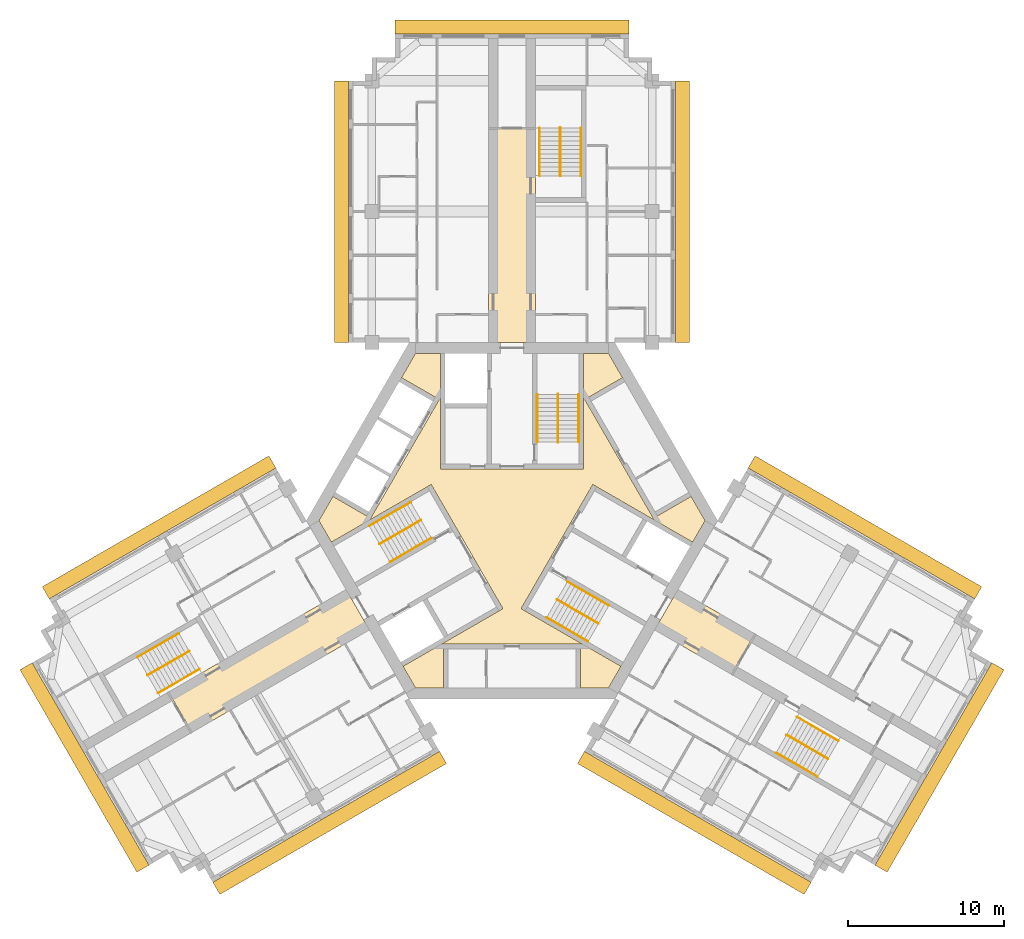
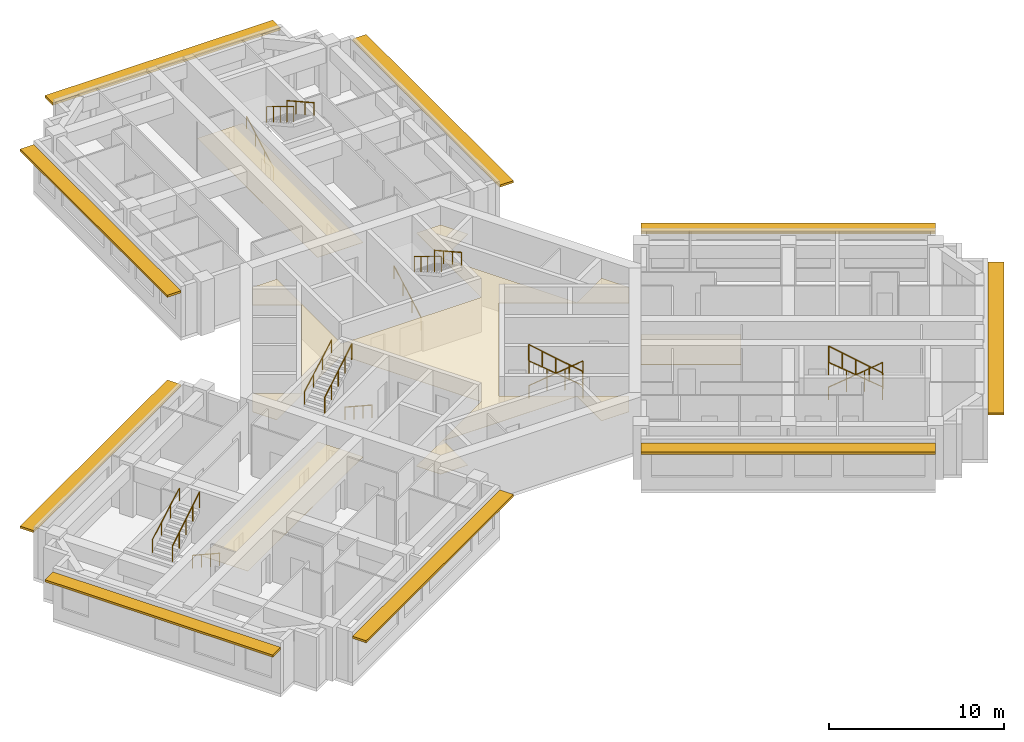
# One storey, part 10 of 10: 18 railings, 4 coverings, 3 shading devices.
"""IFC4 building model written with IfcOpenShell, lengths in metres."""

from ifc_helpers import new_model, si_unit, direction, frame, origin, origin_2d, place, context, subcontext, project, spatial, polyline, rectangle, circle, outline, extrude, material, layer, layer_set, type_object, element, save


model = new_model("IFC4")

# Units and contexts
model_context = context("Model", 3, precision=1e-05, world=origin(), true_north=direction((0.0, 1.0)))
body_context = subcontext(model_context, "Body", "Model", "MODEL_VIEW")
ifc_project = project(units=[si_unit("LENGTHUNIT", "METRE"), si_unit("AREAUNIT", "SQUARE_METRE"), si_unit("VOLUMEUNIT", "CUBIC_METRE"), si_unit("PLANEANGLEUNIT", "RADIAN"), si_unit("MASSUNIT", "GRAM", prefix="KILO")], contexts=[model_context])

# Site, building, storey
site_placement = place(None, origin())
site = spatial("IfcSite", under=ifc_project, at=site_placement, CompositionType="ELEMENT")
building_placement = place(site_placement, origin())
building = spatial("IfcBuilding", under=site, at=building_placement, Name="Impinga Residences", CompositionType="ELEMENT")
storey_placement = place(building_placement, frame((0.0, 0.0, 256.0)))
storey = spatial("IfcBuildingStorey", under=building, at=storey_placement, Name="L64", CompositionType="ELEMENT", Elevation=256.0)

# Coverings
ifc_material_1 = material(Name="Plasterboard 15 mm on steel hangers", Category="steel")
ifc_layer_1 = layer(ifc_material_1, 0.014892578125)
ifc_layer_set_1 = layer_set([ifc_layer_1], Name="Plasterboard 15 mm on steel hangers")
covering_type_1 = type_object("IfcCoveringType", Name="CL1 corridor ceiling, 15 mm plasterboard on hangers", PredefinedType="CEILING", material=ifc_layer_set_1)
covering_1_placement = place(storey_placement, frame((0.0, 0.0, 2.39990234375)))
element("IfcCovering", 1, at=covering_1_placement, inside=storey, type_object=covering_type_1, Name="Corridor ceiling CL1 L64-N00", PredefinedType="CEILING", context=body_context, shape_type="SweptSolid", body=[
    extrude(outline(polyline([(-1.5, 11.431640625), (1.5, 11.431640625), (1.5, 25.131591796875), (-1.5, 25.131591796875), (-1.5, 11.431640625)])), origin(), (0.0, 0.0, 1.0), 0.01513671875),
])
covering_2_placement = place(storey_placement, frame((0.0, 0.0, 2.39990234375)))
element("IfcCovering", 2, at=covering_2_placement, inside=storey, type_object=covering_type_1, Name="Corridor ceiling CL1 L64-W00", PredefinedType="CEILING", context=body_context, shape_type="SweptSolid", body=[
    extrude(outline(polyline([(-9.14990234375, -7.014892578125), (-10.64990234375, -4.416748046875), (-22.038330078125, -10.99169921875), (-20.538330078125, -13.58984375), (-9.14990234375, -7.014892578125)])), origin(), (0.0, 0.0, 1.0), 0.01513671875),
])
covering_3_placement = place(storey_placement, frame((0.0, 0.0, 2.39990234375)))
element("IfcCovering", 3, at=covering_3_placement, inside=storey, type_object=covering_type_1, Name="Corridor ceiling CL1 L64-E00", PredefinedType="CEILING", context=body_context, shape_type="SweptSolid", body=[
    extrude(outline(polyline([(9.14990234375, -7.014892578125), (10.64990234375, -4.416748046875), (15.579833984375, -7.262939453125), (14.079833984375, -9.861083984375), (9.14990234375, -7.014892578125)])), origin(), (0.0, 0.0, 1.0), 0.01513671875),
])
ifc_material_2 = material(Name="Mineral fibre tiles 20 mm on exposed grid", Category="mineral fibre")
ifc_layer_2 = layer(ifc_material_2, 0.02001953125)
ifc_layer_set_2 = layer_set([ifc_layer_2], Name="CL2 lift lobby ceiling, 20 mm mineral fibre tiles")
covering_type_2 = type_object("IfcCoveringType", Name="CL2 lift lobby ceiling, 20 mm mineral fibre tiles", PredefinedType="CEILING", material=ifc_layer_set_2)
covering_4_placement = place(storey_placement, frame((0.0, 0.0, 2.39990234375)))
element("IfcCovering", 4, at=covering_4_placement, inside=storey, type_object=covering_type_2, Name="Lift lobby ceiling CL2 L64-C01", PredefinedType="CEILING", context=body_context, shape_type="SweptSolid", body=[
    extrude(outline(polyline([(12.3916015625, 0.0), (11.59375, -1.382080078125), (5.183837890625, 2.318603515625), (0.583984375, -5.648681640625), (6.993896484375, -9.349365234375), (6.19580078125, -10.7314453125), (4.39990234375, -10.7314453125), (4.39990234375, -7.931640625), (-4.39990234375, -7.931640625), (-4.39990234375, -10.7314453125), (-6.19580078125, -10.7314453125), (-6.993896484375, -9.349365234375), (-0.583984375, -5.648681640625), (-5.183837890625, 2.318603515625), (-11.59375, -1.382080078125), (-12.3916015625, 0.0), (-11.493896484375, 1.55517578125), (-9.06884765625, 0.1552734375), (-4.6689453125, 7.7763671875), (-7.09375, 9.17626953125), (-6.19580078125, 10.7314453125), (-4.60009765625, 10.7314453125), (-4.60009765625, 3.330078125), (4.60009765625, 3.330078125), (4.60009765625, 10.7314453125), (6.19580078125, 10.7314453125), (7.09375, 9.17626953125), (4.6689453125, 7.7763671875), (9.06884765625, 0.1552734375), (11.493896484375, 1.55517578125), (12.3916015625, 0.0)])), origin(), (0.0, 0.0, 1.0), 0.02001953125),
])

# Railings
ifc_material_3 = material(Name="Steel guard, powder coated", Category="steel")
railing_type_1 = type_object("IfcRailingType", Name="GR1 stair guard 1100", PredefinedType="GUARDRAIL", material=ifc_material_3)
railing_1_placement = place(storey_placement, frame((2.949951171875, 8.110107421875, 1.875)))
element("IfcRailing", 5, at=railing_1_placement, inside=storey, type_object=railing_type_1, Name="Stair guard GR1 ST1 L64", PredefinedType="GUARDRAIL", context=body_context, shape_type="SweptSolid", body=[
    extrude(circle(Radius=0.02392578125, at=origin_2d()), frame((0.0, 0.0, 1.076171875), z_axis=(0.0, -0.854177636135, 0.519981313056), x_axis=(1.0, 0.0, 0.0)), (0.0, 0.0, 1.0), 3.60595703125),
    extrude(circle(Radius=0.02099609375, at=origin_2d()), origin(), (0.0, 0.0, 1.0), 1.052001953125),
    extrude(circle(Radius=0.02099609375, at=origin_2d()), frame((0.0, -0.77001953125, 0.46875)), (0.0, 0.0, 1.0), 1.052001953125),
    extrude(circle(Radius=0.02099609375, at=origin_2d()), frame((0.0, -1.5400390625, 0.9375)), (0.0, 0.0, 1.0), 1.052001953125),
    extrude(circle(Radius=0.02099609375, at=origin_2d()), frame((0.0, -2.31005859375, 1.40625)), (0.0, 0.0, 1.0), 1.052001953125),
    extrude(circle(Radius=0.02099609375, at=origin_2d()), frame((0.0, -3.080078125, 1.875)), (0.0, 0.0, 1.0), 1.052001953125),
])
railing_2_placement = place(storey_placement, frame((-8.49853515625, -1.500244140625, 1.875)))
element("IfcRailing", 6, at=railing_2_placement, inside=storey, type_object=railing_type_1, Name="Stair guard GR1 ST2 L64", PredefinedType="GUARDRAIL", context=body_context, shape_type="SweptSolid", body=[
    extrude(circle(Radius=0.02392578125, at=origin_2d()), frame((0.0, 0.0, 1.076171875), z_axis=(0.739746383972, 0.427084037168, 0.519975492303), x_axis=(-0.499992328818, 0.866029832698, 0.0)), (0.0, 0.0, 1.0), 3.60595703125),
    extrude(circle(Radius=0.02099609375, at=origin_2d()), origin(), (0.0, 0.0, 1.0), 1.052001953125),
    extrude(circle(Radius=0.02099609375, at=origin_2d()), frame((0.6669921875, 0.385009765625, 0.46875)), (0.0, 0.0, 1.0), 1.052001953125),
    extrude(circle(Radius=0.02099609375, at=origin_2d()), frame((1.333740234375, 0.77001953125, 0.9375)), (0.0, 0.0, 1.0), 1.052001953125),
    extrude(circle(Radius=0.02099609375, at=origin_2d()), frame((2.00048828125, 1.155029296875, 1.40625)), (0.0, 0.0, 1.0), 1.052001953125),
    extrude(circle(Radius=0.02099609375, at=origin_2d()), frame((2.66748046875, 1.5400390625, 1.875)), (0.0, 0.0, 1.0), 1.052001953125),
])
railing_3_placement = place(storey_placement, frame((5.548583984375, -6.60986328125, 1.875)))
element("IfcRailing", 7, at=railing_3_placement, inside=storey, type_object=railing_type_1, Name="Stair guard GR1 ST3 L64", PredefinedType="GUARDRAIL", context=body_context, shape_type="SweptSolid", body=[
    extrude(circle(Radius=0.02392578125, at=origin_2d()), frame((0.0, 0.0, 1.076171875), z_axis=(-0.739746383972, 0.427084037168, 0.519975492303), x_axis=(-0.499992328818, -0.866029832698, 0.0)), (0.0, 0.0, 1.0), 3.60595703125),
    extrude(circle(Radius=0.02099609375, at=origin_2d()), origin(), (0.0, 0.0, 1.0), 1.052001953125),
    extrude(circle(Radius=0.02099609375, at=origin_2d()), frame((-0.6669921875, 0.385009765625, 0.46875)), (0.0, 0.0, 1.0), 1.052001953125),
    extrude(circle(Radius=0.02099609375, at=origin_2d()), frame((-1.333740234375, 0.77001953125, 0.9375)), (0.0, 0.0, 1.0), 1.052001953125),
    extrude(circle(Radius=0.02099609375, at=origin_2d()), frame((-2.00048828125, 1.155029296875, 1.40625)), (0.0, 0.0, 1.0), 1.052001953125),
    extrude(circle(Radius=0.02099609375, at=origin_2d()), frame((-2.66748046875, 1.5400390625, 1.875)), (0.0, 0.0, 1.0), 1.052001953125),
])
railing_4_placement = place(storey_placement, frame((3.10009765625, 25.21142578125, 1.875)))
element("IfcRailing", 8, at=railing_4_placement, inside=storey, type_object=railing_type_1, Name="Stair guard GR1 WS1 L64", PredefinedType="GUARDRAIL", context=body_context, shape_type="SweptSolid", body=[
    extrude(circle(Radius=0.02392578125, at=origin_2d()), frame((0.0, 0.0, 1.076171875), z_axis=(0.0, -0.854159328187, 0.520011386482), x_axis=(1.0, 0.0, 0.0)), (0.0, 0.0, 1.0), 3.605712890625),
    extrude(circle(Radius=0.02099609375, at=origin_2d()), origin(), (0.0, 0.0, 1.0), 1.052001953125),
    extrude(circle(Radius=0.02099609375, at=origin_2d()), frame((0.0, -0.77001953125, 0.46875)), (0.0, 0.0, 1.0), 1.052001953125),
    extrude(circle(Radius=0.02099609375, at=origin_2d()), frame((0.0, -1.5400390625, 0.9375)), (0.0, 0.0, 1.0), 1.052001953125),
    extrude(circle(Radius=0.02099609375, at=origin_2d()), frame((0.0, -2.309814453125, 1.40625)), (0.0, 0.0, 1.0), 1.052001953125),
    extrude(circle(Radius=0.02099609375, at=origin_2d()), frame((0.0, -3.079833984375, 1.875)), (0.0, 0.0, 1.0), 1.052001953125),
])
railing_5_placement = place(storey_placement, frame((-23.3837890625, -9.921142578125, 1.875)))
element("IfcRailing", 9, at=railing_5_placement, inside=storey, type_object=railing_type_1, Name="Stair guard GR1 WS2 L64", PredefinedType="GUARDRAIL", context=body_context, shape_type="SweptSolid", body=[
    extrude(circle(Radius=0.02392578125, at=origin_2d()), frame((0.0, 0.0, 1.076171875), z_axis=(0.739715726454, 0.427105428144, 0.52000153585), x_axis=(-0.500026652407, 0.866010015463, 0.0)), (0.0, 0.0, 1.0), 3.605712890625),
    extrude(circle(Radius=0.02099609375, at=origin_2d()), origin(), (0.0, 0.0, 1.0), 1.052001953125),
    extrude(circle(Radius=0.02099609375, at=origin_2d()), frame((0.666748046875, 0.385009765625, 0.46875)), (0.0, 0.0, 1.0), 1.052001953125),
    extrude(circle(Radius=0.02099609375, at=origin_2d()), frame((1.33349609375, 0.77001953125, 0.9375)), (0.0, 0.0, 1.0), 1.052001953125),
    extrude(circle(Radius=0.02099609375, at=origin_2d()), frame((2.00048828125, 1.155029296875, 1.40625)), (0.0, 0.0, 1.0), 1.052001953125),
    extrude(circle(Radius=0.02099609375, at=origin_2d()), frame((2.667236328125, 1.5400390625, 1.875)), (0.0, 0.0, 1.0), 1.052001953125),
])
railing_6_placement = place(storey_placement, frame((20.283935546875, -15.29052734375, 1.875)))
element("IfcRailing", 10, at=railing_6_placement, inside=storey, type_object=railing_type_1, Name="Stair guard GR1 WS3 L64", PredefinedType="GUARDRAIL", context=body_context, shape_type="SweptSolid", body=[
    extrude(circle(Radius=0.02392578125, at=origin_2d()), frame((0.0, 0.0, 1.076171875), z_axis=(-0.739746383972, 0.427084037168, 0.519975492303), x_axis=(-0.499992328818, -0.866029832698, 0.0)), (0.0, 0.0, 1.0), 3.60595703125),
    extrude(circle(Radius=0.02099609375, at=origin_2d()), origin(), (0.0, 0.0, 1.0), 1.052001953125),
    extrude(circle(Radius=0.02099609375, at=origin_2d()), frame((-0.6669921875, 0.385009765625, 0.46875)), (0.0, 0.0, 1.0), 1.052001953125),
    extrude(circle(Radius=0.02099609375, at=origin_2d()), frame((-1.333740234375, 0.77001953125, 0.9375)), (0.0, 0.0, 1.0), 1.052001953125),
    extrude(circle(Radius=0.02099609375, at=origin_2d()), frame((-2.00048828125, 1.155029296875, 1.40625)), (0.0, 0.0, 1.0), 1.052001953125),
    extrude(circle(Radius=0.02099609375, at=origin_2d()), frame((-2.66748046875, 1.5400390625, 1.875)), (0.0, 0.0, 1.0), 1.052001953125),
])
ifc_material_4 = material(Name="Steel handrail tube 42 mm, powder coated", Category="steel")
railing_type_2 = type_object("IfcRailingType", Name="HR1 stair handrail, 42 mm steel tube, 900 above the pitch line", PredefinedType="HANDRAIL", material=ifc_material_4)
railing_7_placement = place(storey_placement, frame((1.62109375, 5.030029296875, 0.15625)))
element("IfcRailing", 11, at=railing_7_placement, inside=storey, type_object=railing_type_2, Name="Stair handrail HR1 ST1 L64", PredefinedType="HANDRAIL", context=body_context, shape_type="SweptSolid", body=[
    extrude(circle(Radius=0.02099609375, at=origin_2d()), frame((0.0, 0.0, 0.87890625), z_axis=(0.0, 0.873241540666, 0.487287606713), x_axis=(-1.0, 0.0, 0.0)), (0.0, 0.0, 1.0), 3.527099609375),
    extrude(circle(Radius=0.012451171875, at=origin_2d()), origin(), (0.0, 0.0, 1.0), 0.85791015625),
    extrude(circle(Radius=0.012451171875, at=origin_2d()), frame((0.0, 1.026611328125, 0.572998046875)), (0.0, 0.0, 1.0), 0.85791015625),
    extrude(circle(Radius=0.012451171875, at=origin_2d()), frame((0.0, 2.053466796875, 1.145751953125)), (0.0, 0.0, 1.0), 0.85791015625),
    extrude(circle(Radius=0.012451171875, at=origin_2d()), frame((0.0, 3.080078125, 1.71875)), (0.0, 0.0, 1.0), 0.85791015625),
])
railing_8_placement = place(storey_placement, frame((4.279052734375, 8.110107421875, 2.03125)))
element("IfcRailing", 12, at=railing_8_placement, inside=storey, type_object=railing_type_2, Name="Stair handrail HR1 ST1 L64", PredefinedType="HANDRAIL", context=body_context, shape_type="SweptSolid", body=[
    extrude(circle(Radius=0.02099609375, at=origin_2d()), frame((0.0, 0.0, 0.87890625), z_axis=(0.0, -0.873241540666, 0.487287606713), x_axis=(1.0, 0.0, 0.0)), (0.0, 0.0, 1.0), 3.527099609375),
    extrude(circle(Radius=0.012451171875, at=origin_2d()), origin(), (0.0, 0.0, 1.0), 0.85791015625),
    extrude(circle(Radius=0.012451171875, at=origin_2d()), frame((0.0, -1.026611328125, 0.572998046875)), (0.0, 0.0, 1.0), 0.85791015625),
    extrude(circle(Radius=0.012451171875, at=origin_2d()), frame((0.0, -2.053466796875, 1.145751953125)), (0.0, 0.0, 1.0), 0.85791015625),
    extrude(circle(Radius=0.012451171875, at=origin_2d()), frame((0.0, -3.080078125, 1.71875)), (0.0, 0.0, 1.0), 0.85791015625),
])
railing_9_placement = place(storey_placement, frame((-5.16650390625, -1.111083984375, 0.15625)))
element("IfcRailing", 13, at=railing_9_placement, inside=storey, type_object=railing_type_2, Name="Stair handrail HR1 ST2 L64", PredefinedType="HANDRAIL", context=body_context, shape_type="SweptSolid", body=[
    extrude(circle(Radius=0.02099609375, at=origin_2d()), frame((0.0, 0.0, 0.87890625), z_axis=(-0.756255980417, -0.436615662133, 0.487281905742), x_axis=(0.499992328818, -0.866029832698, 0.0)), (0.0, 0.0, 1.0), 3.527099609375),
    extrude(circle(Radius=0.012451171875, at=origin_2d()), origin(), (0.0, 0.0, 1.0), 0.85791015625),
    extrude(circle(Radius=0.012451171875, at=origin_2d()), frame((-0.88916015625, -0.513427734375, 0.572998046875)), (0.0, 0.0, 1.0), 0.85791015625),
    extrude(circle(Radius=0.012451171875, at=origin_2d()), frame((-1.7783203125, -1.026611328125, 1.145751953125)), (0.0, 0.0, 1.0), 0.85791015625),
    extrude(circle(Radius=0.012451171875, at=origin_2d()), frame((-2.66748046875, -1.5400390625, 1.71875)), (0.0, 0.0, 1.0), 0.85791015625),
])
railing_10_placement = place(storey_placement, frame((-9.1630859375, -0.349365234375, 2.03125)))
element("IfcRailing", 14, at=railing_10_placement, inside=storey, type_object=railing_type_2, Name="Stair handrail HR1 ST2 L64", PredefinedType="HANDRAIL", context=body_context, shape_type="SweptSolid", body=[
    extrude(circle(Radius=0.02099609375, at=origin_2d()), frame((0.0, 0.0, 0.87890625), z_axis=(0.756255980417, 0.436615662133, 0.487281905742), x_axis=(-0.499992328818, 0.866029832698, 0.0)), (0.0, 0.0, 1.0), 3.527099609375),
    extrude(circle(Radius=0.012451171875, at=origin_2d()), origin(), (0.0, 0.0, 1.0), 0.85791015625),
    extrude(circle(Radius=0.012451171875, at=origin_2d()), frame((0.88916015625, 0.513427734375, 0.572998046875)), (0.0, 0.0, 1.0), 0.85791015625),
    extrude(circle(Radius=0.012451171875, at=origin_2d()), frame((1.7783203125, 1.026611328125, 1.145751953125)), (0.0, 0.0, 1.0), 0.85791015625),
    extrude(circle(Radius=0.012451171875, at=origin_2d()), frame((2.66748046875, 1.5400390625, 1.71875)), (0.0, 0.0, 1.0), 0.85791015625),
])
railing_11_placement = place(storey_placement, frame((3.545654296875, -3.9189453125, 0.15625)))
element("IfcRailing", 15, at=railing_11_placement, inside=storey, type_object=railing_type_2, Name="Stair handrail HR1 ST3 L64", PredefinedType="HANDRAIL", context=body_context, shape_type="SweptSolid", body=[
    extrude(circle(Radius=0.02099609375, at=origin_2d()), frame((0.0, 0.0, 0.87890625), z_axis=(0.756249203677, -0.436582492228, 0.487322141317), x_axis=(0.499967199496, 0.866044340336, 0.0)), (0.0, 0.0, 1.0), 3.52685546875),
    extrude(circle(Radius=0.012451171875, at=origin_2d()), origin(), (0.0, 0.0, 1.0), 0.85791015625),
    extrude(circle(Radius=0.012451171875, at=origin_2d()), frame((0.88916015625, -0.51318359375, 0.572998046875)), (0.0, 0.0, 1.0), 0.85791015625),
    extrude(circle(Radius=0.012451171875, at=origin_2d()), frame((1.778076171875, -1.026611328125, 1.145751953125)), (0.0, 0.0, 1.0), 0.85791015625),
    extrude(circle(Radius=0.012451171875, at=origin_2d()), frame((2.667236328125, -1.539794921875, 1.71875)), (0.0, 0.0, 1.0), 0.85791015625),
])
railing_12_placement = place(storey_placement, frame((4.884033203125, -7.7607421875, 2.03125)))
element("IfcRailing", 16, at=railing_12_placement, inside=storey, type_object=railing_type_2, Name="Stair handrail HR1 ST3 L64", PredefinedType="HANDRAIL", context=body_context, shape_type="SweptSolid", body=[
    extrude(circle(Radius=0.02099609375, at=origin_2d()), frame((0.0, 0.0, 0.87890625), z_axis=(-0.756255980417, 0.436615662133, 0.487281905742), x_axis=(-0.499992328818, -0.866029832698, 0.0)), (0.0, 0.0, 1.0), 3.527099609375),
    extrude(circle(Radius=0.012451171875, at=origin_2d()), origin(), (0.0, 0.0, 1.0), 0.85791015625),
    extrude(circle(Radius=0.012451171875, at=origin_2d()), frame((-0.88916015625, 0.513427734375, 0.572998046875)), (0.0, 0.0, 1.0), 0.85791015625),
    extrude(circle(Radius=0.012451171875, at=origin_2d()), frame((-1.7783203125, 1.026611328125, 1.145751953125)), (0.0, 0.0, 1.0), 0.85791015625),
    extrude(circle(Radius=0.012451171875, at=origin_2d()), frame((-2.66748046875, 1.5400390625, 1.71875)), (0.0, 0.0, 1.0), 0.85791015625),
])
railing_13_placement = place(storey_placement, frame((1.77099609375, 22.131591796875, 0.15625)))
element("IfcRailing", 17, at=railing_13_placement, inside=storey, type_object=railing_type_2, Name="Stair handrail HR1 WS1 L64", PredefinedType="HANDRAIL", context=body_context, shape_type="SweptSolid", body=[
    extrude(circle(Radius=0.02099609375, at=origin_2d()), frame((0.0, 0.0, 0.87890625), z_axis=(0.0, 0.873225103656, 0.487317061414), x_axis=(-1.0, 0.0, 0.0)), (0.0, 0.0, 1.0), 3.52685546875),
    extrude(circle(Radius=0.012451171875, at=origin_2d()), origin(), (0.0, 0.0, 1.0), 0.85791015625),
    extrude(circle(Radius=0.012451171875, at=origin_2d()), frame((0.0, 1.026611328125, 0.572998046875)), (0.0, 0.0, 1.0), 0.85791015625),
    extrude(circle(Radius=0.012451171875, at=origin_2d()), frame((0.0, 2.05322265625, 1.145751953125)), (0.0, 0.0, 1.0), 0.85791015625),
    extrude(circle(Radius=0.012451171875, at=origin_2d()), frame((0.0, 3.079833984375, 1.71875)), (0.0, 0.0, 1.0), 0.85791015625),
])
railing_14_placement = place(storey_placement, frame((4.428955078125, 25.21142578125, 2.03125)))
element("IfcRailing", 18, at=railing_14_placement, inside=storey, type_object=railing_type_2, Name="Stair handrail HR1 WS1 L64", PredefinedType="HANDRAIL", context=body_context, shape_type="SweptSolid", body=[
    extrude(circle(Radius=0.02099609375, at=origin_2d()), frame((0.0, 0.0, 0.87890625), z_axis=(0.0, -0.873225103656, 0.487317061414), x_axis=(1.0, 0.0, 0.0)), (0.0, 0.0, 1.0), 3.52685546875),
    extrude(circle(Radius=0.012451171875, at=origin_2d()), origin(), (0.0, 0.0, 1.0), 0.85791015625),
    extrude(circle(Radius=0.012451171875, at=origin_2d()), frame((0.0, -1.026611328125, 0.572998046875)), (0.0, 0.0, 1.0), 0.85791015625),
    extrude(circle(Radius=0.012451171875, at=origin_2d()), frame((0.0, -2.05322265625, 1.145751953125)), (0.0, 0.0, 1.0), 0.85791015625),
    extrude(circle(Radius=0.012451171875, at=origin_2d()), frame((0.0, -3.079833984375, 1.71875)), (0.0, 0.0, 1.0), 0.85791015625),
])
railing_15_placement = place(storey_placement, frame((-20.052001953125, -9.531982421875, 0.15625)))
element("IfcRailing", 19, at=railing_15_placement, inside=storey, type_object=railing_type_2, Name="Stair handrail HR1 WS2 L64", PredefinedType="HANDRAIL", context=body_context, shape_type="SweptSolid", body=[
    extrude(circle(Radius=0.02099609375, at=origin_2d()), frame((0.0, 0.0, 0.87890625), z_axis=(-0.756226348243, -0.436638517594, 0.487307413422), x_axis=(0.500026652407, -0.866010015463, 0.0)), (0.0, 0.0, 1.0), 3.527099609375),
    extrude(circle(Radius=0.012451171875, at=origin_2d()), origin(), (0.0, 0.0, 1.0), 0.85791015625),
    extrude(circle(Radius=0.012451171875, at=origin_2d()), frame((-0.88916015625, -0.513427734375, 0.572998046875)), (0.0, 0.0, 1.0), 0.85791015625),
    extrude(circle(Radius=0.012451171875, at=origin_2d()), frame((-1.778076171875, -1.026611328125, 1.145751953125)), (0.0, 0.0, 1.0), 0.85791015625),
    extrude(circle(Radius=0.012451171875, at=origin_2d()), frame((-2.667236328125, -1.5400390625, 1.71875)), (0.0, 0.0, 1.0), 0.85791015625),
])
railing_16_placement = place(storey_placement, frame((-24.04833984375, -8.77001953125, 2.03125)))
element("IfcRailing", 20, at=railing_16_placement, inside=storey, type_object=railing_type_2, Name="Stair handrail HR1 WS2 L64", PredefinedType="HANDRAIL", context=body_context, shape_type="SweptSolid", body=[
    extrude(circle(Radius=0.02099609375, at=origin_2d()), frame((0.0, 0.0, 0.87890625), z_axis=(0.756278834354, 0.436559638319, 0.487296631324), x_axis=(-0.499932877268, 0.866064153644, 0.0)), (0.0, 0.0, 1.0), 3.527099609375),
    extrude(circle(Radius=0.012451171875, at=origin_2d()), origin(), (0.0, 0.0, 1.0), 0.85791015625),
    extrude(circle(Radius=0.012451171875, at=origin_2d()), frame((0.88916015625, 0.51318359375, 0.572998046875)), (0.0, 0.0, 1.0), 0.85791015625),
    extrude(circle(Radius=0.012451171875, at=origin_2d()), frame((1.7783203125, 1.026611328125, 1.145751953125)), (0.0, 0.0, 1.0), 0.85791015625),
    extrude(circle(Radius=0.012451171875, at=origin_2d()), frame((2.66748046875, 1.539794921875, 1.71875)), (0.0, 0.0, 1.0), 0.85791015625),
])
railing_17_placement = place(storey_placement, frame((18.281005859375, -12.599609375, 0.15625)))
element("IfcRailing", 21, at=railing_17_placement, inside=storey, type_object=railing_type_2, Name="Stair handrail HR1 WS3 L64", PredefinedType="HANDRAIL", context=body_context, shape_type="SweptSolid", body=[
    extrude(circle(Radius=0.02099609375, at=origin_2d()), frame((0.0, 0.0, 0.87890625), z_axis=(0.756249203677, -0.436582492228, 0.487322141317), x_axis=(0.499967199496, 0.866044340336, 0.0)), (0.0, 0.0, 1.0), 3.52685546875),
    extrude(circle(Radius=0.012451171875, at=origin_2d()), origin(), (0.0, 0.0, 1.0), 0.85791015625),
    extrude(circle(Radius=0.012451171875, at=origin_2d()), frame((0.88916015625, -0.51318359375, 0.572998046875)), (0.0, 0.0, 1.0), 0.85791015625),
    extrude(circle(Radius=0.012451171875, at=origin_2d()), frame((1.778076171875, -1.026611328125, 1.145751953125)), (0.0, 0.0, 1.0), 0.85791015625),
    extrude(circle(Radius=0.012451171875, at=origin_2d()), frame((2.667236328125, -1.539794921875, 1.71875)), (0.0, 0.0, 1.0), 0.85791015625),
])
railing_18_placement = place(storey_placement, frame((19.619384765625, -16.44140625, 2.03125)))
element("IfcRailing", 22, at=railing_18_placement, inside=storey, type_object=railing_type_2, Name="Stair handrail HR1 WS3 L64", PredefinedType="HANDRAIL", context=body_context, shape_type="SweptSolid", body=[
    extrude(circle(Radius=0.02099609375, at=origin_2d()), frame((0.0, 0.0, 0.87890625), z_axis=(-0.756255980417, 0.436615662133, 0.487281905742), x_axis=(-0.499992328818, -0.866029832698, 0.0)), (0.0, 0.0, 1.0), 3.527099609375),
    extrude(circle(Radius=0.012451171875, at=origin_2d()), origin(), (0.0, 0.0, 1.0), 0.85791015625),
    extrude(circle(Radius=0.012451171875, at=origin_2d()), frame((-0.88916015625, 0.513427734375, 0.572998046875)), (0.0, 0.0, 1.0), 0.85791015625),
    extrude(circle(Radius=0.012451171875, at=origin_2d()), frame((-1.7783203125, 1.026611328125, 1.145751953125)), (0.0, 0.0, 1.0), 0.85791015625),
    extrude(circle(Radius=0.012451171875, at=origin_2d()), frame((-2.66748046875, 1.5400390625, 1.71875)), (0.0, 0.0, 1.0), 0.85791015625),
])

# Shading devices
ifc_material_5 = material(Name="Terracotta sunshade blades on aluminium brackets", Category="masonry")
ifc_layer_3 = layer(ifc_material_5, 0.14990234375)
ifc_layer_set_3 = layer_set([ifc_layer_3], Name="SS1 SUNSHADE terracotta sunshade band 900")
shading_device_type = type_object("IfcShadingDeviceType", Name="SS1 SUNSHADE terracotta sunshade band 900", PredefinedType="USERDEFINED", material=ifc_layer_set_3)
shading_device_1_placement = place(storey_placement, frame((-10.949951171875, 19.83154296875, 3.10009765625), z_axis=(0.0, 0.0, 1.0), x_axis=(0.0, 1.0, 0.0)))
element("IfcShadingDevice", 23, at=shading_device_1_placement, inside=storey, type_object=shading_device_type, Name="SUNSHADE band L64 NORTH WING", ObjectType="SUNSHADE", PredefinedType="USERDEFINED", context=body_context, shape_type="SweptSolid", body=[
    extrude(rectangle(XDim=16.800048828125, YDim=0.89990234375, at=origin_2d()), origin(), (0.0, 0.0, 1.0), 0.14990234375),
    extrude(rectangle(XDim=15.0, YDim=0.89990234375, at=origin_2d()), frame((11.85009765625, -10.949951171875, 0.0), z_axis=(0.0, 0.0, 1.0), x_axis=(0.0, -1.0, 0.0)), (0.0, 0.0, 1.0), 0.14990234375),
    extrude(rectangle(XDim=16.800048828125, YDim=0.89990234375, at=origin_2d()), frame((0.0, -21.89990234375, 0.0), z_axis=(0.0, 0.0, 1.0), x_axis=(-1.0, 0.0, 0.0)), (0.0, 0.0, 1.0), 0.14990234375),
])
shading_device_2_placement = place(storey_placement, frame((-27.43701171875, -15.8408203125, 3.10009765625), z_axis=(0.0, 0.0, 1.0), x_axis=(-0.5, 0.866025403784, 0.0)))
element("IfcShadingDevice", 24, at=shading_device_2_placement, inside=storey, type_object=shading_device_type, Name="SUNSHADE band L64 WEST WING", ObjectType="SUNSHADE", PredefinedType="USERDEFINED", context=body_context, shape_type="SweptSolid", body=[
    extrude(rectangle(XDim=15.0, YDim=0.89990234375, at=origin_2d()), origin(), (0.0, 0.0, 1.0), 0.14990234375),
    extrude(rectangle(XDim=16.800048828125, YDim=0.89990234375, at=origin_2d()), frame((10.949951171875, -11.849853515625, 0.0), z_axis=(0.0, 0.0, 1.0), x_axis=(0.0, -1.0, 0.0)), (0.0, 0.0, 1.0), 0.14990234375),
    extrude(rectangle(XDim=16.800048828125, YDim=0.89990234375, at=origin_2d()), frame((-10.949951171875, -11.849853515625, 0.0), z_axis=(0.0, 0.0, 1.0), x_axis=(0.0, 1.0, 0.0)), (0.0, 0.0, 1.0), 0.14990234375),
])
shading_device_3_placement = place(storey_placement, frame((22.649658203125, -0.432861328125, 3.10009765625), z_axis=(0.0, 0.0, 1.0), x_axis=(0.866025403784, -0.5, 0.0)))
element("IfcShadingDevice", 25, at=shading_device_3_placement, inside=storey, type_object=shading_device_type, Name="SUNSHADE band L64 EAST WING", ObjectType="SUNSHADE", PredefinedType="USERDEFINED", context=body_context, shape_type="SweptSolid", body=[
    extrude(rectangle(XDim=16.800048828125, YDim=0.89990234375, at=origin_2d()), origin(), (0.0, 0.0, 1.0), 0.14990234375),
    extrude(rectangle(XDim=15.0, YDim=0.89990234375, at=origin_2d()), frame((11.849853515625, -10.949951171875, 0.0), z_axis=(0.0, 0.0, 1.0), x_axis=(0.0, -1.0, 0.0)), (0.0, 0.0, 1.0), 0.14990234375),
    extrude(rectangle(XDim=16.800048828125, YDim=0.89990234375, at=origin_2d()), frame((0.0, -21.89990234375, 0.0), z_axis=(0.0, 0.0, 1.0), x_axis=(-1.0, 0.0, 0.0)), (0.0, 0.0, 1.0), 0.14990234375),
])

save(model, "model.ifc")
